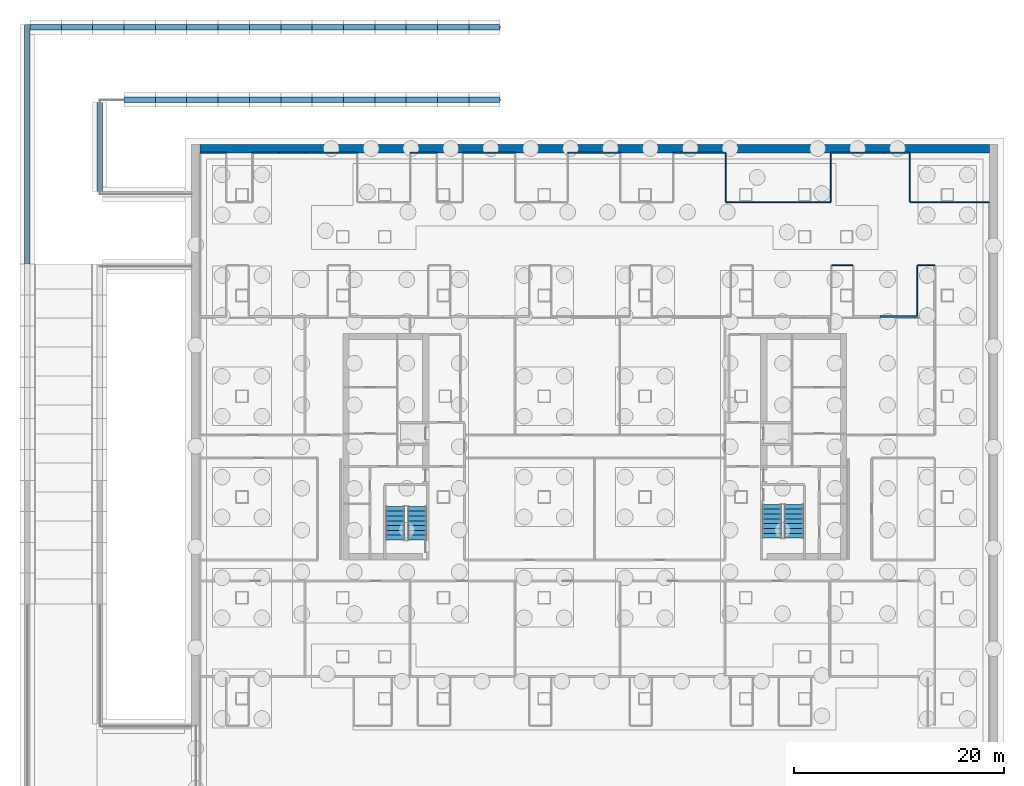
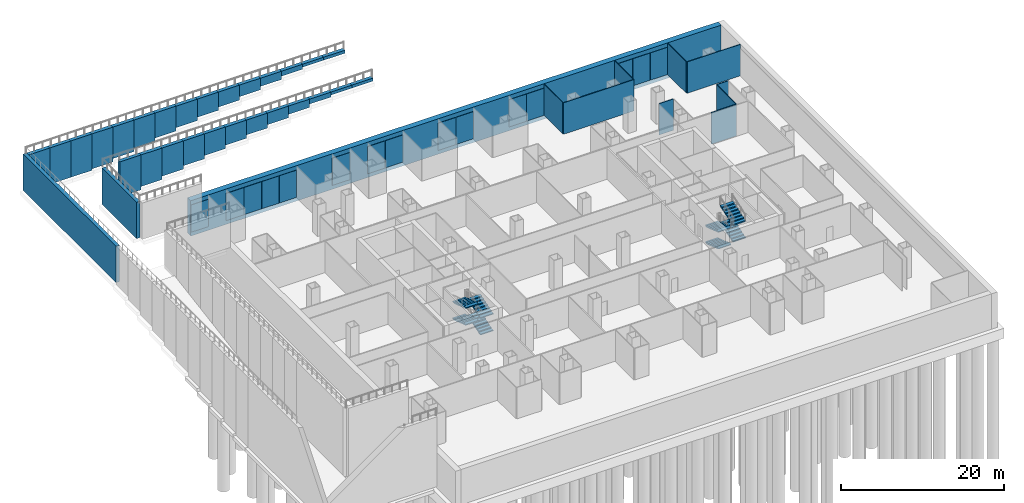
# One storey, part 12 of 17: 54 walls, 8 stair flights, 2 elements without a shape of their own.
"""IFC4 building model written with IfcOpenShell, lengths in metres."""

from ifc_helpers import new_model, si_unit, direction, frame, frame_2d, origin, place, context, subcontext, project, spatial, polyline, rectangle, outline, extrude, material, layer, layer_set, type_object, element, aggregate, save


model = new_model("IFC4")

# Units and contexts
model_context = context("Model", 3, precision=1e-05, world=origin(), true_north=direction((0.0, 1.0)))
body_context = subcontext(model_context, "Body", "Model", "MODEL_VIEW")
ifc_project = project(units=[si_unit("LENGTHUNIT", "METRE"), si_unit("AREAUNIT", "SQUARE_METRE"), si_unit("VOLUMEUNIT", "CUBIC_METRE"), si_unit("PLANEANGLEUNIT", "RADIAN"), si_unit("MASSUNIT", "GRAM", prefix="KILO")], contexts=[model_context])

# Site, building, storey
site_placement = place(None, origin())
site = spatial("IfcSite", under=ifc_project, at=site_placement, CompositionType="ELEMENT")
building_placement = place(site_placement, origin())
building = spatial("IfcBuilding", under=site, at=building_placement, Name="Cobrizo Arcos Hotel Tower", CompositionType="ELEMENT")
storey_placement = place(building_placement, frame((0.0, 0.0, -10.0)))
storey = spatial("IfcBuildingStorey", under=building, at=storey_placement, Name="B2", CompositionType="ELEMENT", Elevation=-10.0)

# Walls
ifc_material_1 = material(Name="Gypsum board partition")
ifc_layer_1 = layer(ifc_material_1, 0.14990234375)
ifc_layer_set_1 = layer_set([ifc_layer_1], Name="Corridor wall EI 60 150")
wall_type_1 = type_object("IfcWallType", Name="Corridor wall EI 60 150", PredefinedType="PARTITIONING", material=ifc_layer_set_1)
wall_1_placement = place(storey_placement, frame((27.199951171875, 12.39990234375, 0.0), z_axis=(0.0, 0.0, 1.0), x_axis=(1.0, 0.0, 0.0)))
element("IfcWall", 1, at=wall_1_placement, inside=storey, type_object=wall_type_1, Name="Partition 110", PredefinedType="PARTITIONING", context=body_context, shape_type="SweptSolid", body=[
    extrude(rectangle(XDim=3.550048828125, YDim=0.14990234375, at=frame_2d((1.77490234375, 0.0))), origin(), (0.0, 0.0, 1.0), 4.699951171875),
])
ifc_layer_2 = layer(ifc_material_1, 0.10009765625)
ifc_layer_set_2 = layer_set([ifc_layer_2], Name="Partition EI 30 100")
wall_type_2 = type_object("IfcWallType", Name="Partition EI 30 100", PredefinedType="PARTITIONING", material=ifc_layer_set_2)
wall_2_placement = place(storey_placement, frame((22.60009765625, 17.300048828125, 0.0), z_axis=(0.0, 0.0, 1.0), x_axis=(1.0, 0.0, 0.0)))
element("IfcWall", 2, at=wall_2_placement, inside=storey, type_object=wall_type_2, Name="Partition 117", PredefinedType="PARTITIONING", context=body_context, shape_type="SweptSolid", body=[
    extrude(rectangle(XDim=2.0, YDim=0.10009765625, at=frame_2d((1.0, 0.0))), origin(), (0.0, 0.0, 1.0), 4.699951171875),
])
wall_3_placement = place(storey_placement, frame((30.800048828125, 17.300048828125, 0.0), z_axis=(0.0, 0.0, 1.0), x_axis=(1.0, 0.0, 0.0)))
element("IfcWall", 3, at=wall_3_placement, inside=storey, type_object=wall_type_2, Name="Partition 118", PredefinedType="PARTITIONING", context=body_context, shape_type="SweptSolid", body=[
    extrude(rectangle(XDim=1.599853515625, YDim=0.10009765625, at=frame_2d((0.7998046875, 0.0))), origin(), (0.0, 0.0, 1.0), 4.699951171875),
])
wall_4_placement = place(storey_placement, frame((12.5, 23.300048828125, 0.0), z_axis=(0.0, 0.0, 1.0), x_axis=(1.0, 0.0, 0.0)))
element("IfcWall", 4, at=wall_4_placement, inside=storey, type_object=wall_type_2, Name="Partition 124", PredefinedType="PARTITIONING", context=body_context, shape_type="SweptSolid", body=[
    extrude(rectangle(XDim=10.0, YDim=0.10009765625, at=frame_2d((5.0, 0.0))), origin(), (0.0, 0.0, 1.0), 4.699951171875),
])
wall_5_placement = place(storey_placement, frame((30.050048828125, 23.300048828125, 0.0), z_axis=(0.0, 0.0, 1.0), x_axis=(1.0, 0.0, 0.0)))
element("IfcWall", 5, at=wall_5_placement, inside=storey, type_object=wall_type_2, Name="Partition 125", PredefinedType="PARTITIONING", context=body_context, shape_type="SweptSolid", body=[
    extrude(rectangle(XDim=7.550048828125, YDim=0.10009765625, at=frame_2d((3.77490234375, 0.0))), origin(), (0.0, 0.0, 1.0), 4.699951171875),
])
for number, where, z_axis, x_axis, name in (
    (6, (-37.60009765625, 28.0, 0.0), (0.0, 0.0, 1.0), (1.0, 0.0, 0.0), "Partition 126"),
    (7, (-32.60009765625, 28.0, 0.0), (0.0, 0.0, 1.0), (1.0, 0.0, 0.0), "Partition 127"),
):
    element("IfcWall", number, at=place(storey_placement, frame(where, z_axis=z_axis, x_axis=x_axis)), inside=storey, type_object=wall_type_2, Name=name, PredefinedType="PARTITIONING", context=body_context, shape_type="SweptSolid", body=[
        extrude(rectangle(XDim=2.5, YDim=0.10009765625, at=frame_2d((1.25, 0.0))), origin(), (0.0, 0.0, 1.0), 4.077880859375),
    ])
for number, where, z_axis, x_axis, name in (
    (8, (-30.050048828125, 28.0, 0.0), (0.0, 0.0, 1.0), (1.0, 0.0, 0.0), "Partition 128"),
    (9, (-27.550048828125, 28.0, 0.0), (0.0, 0.0, 1.0), (1.0, 0.0, 0.0), "Partition 129"),
    (10, (-25.050048828125, 28.0, 0.0), (0.0, 0.0, 1.0), (1.0, 0.0, 0.0), "Partition 130"),
):
    element("IfcWall", number, at=place(storey_placement, frame(where, z_axis=z_axis, x_axis=x_axis)), inside=storey, type_object=wall_type_2, Name=name, PredefinedType="PARTITIONING", context=body_context, shape_type="SweptSolid", body=[
        extrude(rectangle(XDim=2.449951171875, YDim=0.10009765625, at=frame_2d((1.22509765625, 0.0))), origin(), (0.0, 0.0, 1.0), 4.077880859375),
    ])
wall_6_placement = place(storey_placement, frame((-17.550048828125, 28.0, 0.0), z_axis=(0.0, 0.0, 1.0), x_axis=(1.0, 0.0, 0.0)))
element("IfcWall", 11, at=wall_6_placement, inside=storey, type_object=wall_type_2, Name="Partition 131", PredefinedType="PARTITIONING", context=body_context, shape_type="SweptSolid", body=[
    extrude(rectangle(XDim=2.5, YDim=0.10009765625, at=frame_2d((1.25, 0.0))), origin(), (0.0, 0.0, 1.0), 4.077880859375),
])
wall_7_placement = place(storey_placement, frame((-12.550048828125, 28.0, 0.0), z_axis=(0.0, 0.0, 1.0), x_axis=(1.0, 0.0, 0.0)))
element("IfcWall", 12, at=wall_7_placement, inside=storey, type_object=wall_type_2, Name="Partition 132", PredefinedType="PARTITIONING", context=body_context, shape_type="SweptSolid", body=[
    extrude(rectangle(XDim=2.449951171875, YDim=0.10009765625, at=frame_2d((1.22509765625, 0.0))), origin(), (0.0, 0.0, 1.0), 4.077880859375),
])
for number, where, z_axis, x_axis, name in (
    (13, (-10.050048828125, 28.0, 0.0), (0.0, 0.0, 1.0), (1.0, 0.0, 0.0), "Partition 133"),
    (14, (-2.550048828125, 28.0, 0.0), (0.0, 0.0, 1.0), (1.0, 0.0, 0.0), "Partition 134"),
):
    element("IfcWall", number, at=place(storey_placement, frame(where, z_axis=z_axis, x_axis=x_axis)), inside=storey, type_object=wall_type_2, Name=name, PredefinedType="PARTITIONING", context=body_context, shape_type="SweptSolid", body=[
        extrude(rectangle(XDim=2.5, YDim=0.10009765625, at=frame_2d((1.25, 0.0))), origin(), (0.0, 0.0, 1.0), 4.077880859375),
    ])
for number, where, z_axis, x_axis, name in (
    (15, (0.0, 28.0, 0.0), (0.0, 0.0, 1.0), (1.0, 0.0, 0.0), "Partition 135"),
    (16, (7.5, 28.0, 0.0), (0.0, 0.0, 1.0), (1.0, 0.0, 0.0), "Partition 136"),
):
    element("IfcWall", number, at=place(storey_placement, frame(where, z_axis=z_axis, x_axis=x_axis)), inside=storey, type_object=wall_type_2, Name=name, PredefinedType="PARTITIONING", context=body_context, shape_type="SweptSolid", body=[
        extrude(rectangle(XDim=2.449951171875, YDim=0.10009765625, at=frame_2d((1.22509765625, 0.0))), origin(), (0.0, 0.0, 1.0), 4.077880859375),
    ])
for number, where, z_axis, x_axis, name in (
    (17, (10.0, 28.0, 0.0), (0.0, 0.0, 1.0), (1.0, 0.0, 0.0), "Partition 137"),
    (18, (22.5, 28.0, 0.0), (0.0, 0.0, 1.0), (1.0, 0.0, 0.0), "Partition 138"),
):
    element("IfcWall", number, at=place(storey_placement, frame(where, z_axis=z_axis, x_axis=x_axis)), inside=storey, type_object=wall_type_2, Name=name, PredefinedType="PARTITIONING", context=body_context, shape_type="SweptSolid", body=[
        extrude(rectangle(XDim=2.5, YDim=0.10009765625, at=frame_2d((1.25, 0.0))), origin(), (0.0, 0.0, 1.0), 4.077880859375),
    ])
for number, where, z_axis, x_axis, name in (
    (19, (25.050048828125, 28.0, 0.0), (0.0, 0.0, 1.0), (1.0, 0.0, 0.0), "Partition 139"),
    (20, (27.550048828125, 28.0, 0.0), (0.0, 0.0, 1.0), (1.0, 0.0, 0.0), "Partition 140"),
):
    element("IfcWall", number, at=place(storey_placement, frame(where, z_axis=z_axis, x_axis=x_axis)), inside=storey, type_object=wall_type_2, Name=name, PredefinedType="PARTITIONING", context=body_context, shape_type="SweptSolid", body=[
        extrude(rectangle(XDim=2.449951171875, YDim=0.10009765625, at=frame_2d((1.22509765625, 0.0))), origin(), (0.0, 0.0, 1.0), 4.077880859375),
    ])
for number, where, z_axis, x_axis, name in (
    (21, (12.5, 23.35009765625, 0.0), (0.0, 0.0, 1.0), (0.0, 1.0, 0.0), "Partition 200"),
    (22, (22.5, 23.35009765625, 0.0), (0.0, 0.0, 1.0), (0.0, 1.0, 0.0), "Partition 213"),
    (23, (30.0, 23.35009765625, 0.0), (0.0, 0.0, 1.0), (0.0, 1.0, 0.0), "Partition 218"),
):
    element("IfcWall", number, at=place(storey_placement, frame(where, z_axis=z_axis, x_axis=x_axis)), inside=storey, type_object=wall_type_2, Name=name, PredefinedType="PARTITIONING", context=body_context, shape_type="SweptSolid", body=[
        extrude(rectangle(XDim=4.599853515625, YDim=0.10009765625, at=frame_2d((2.2998046875, 0.0))), origin(), (0.0, 0.0, 1.0), 4.699951171875),
    ])
wall_8_placement = place(storey_placement, frame((30.75, 12.47509765625, 0.0), z_axis=(0.0, 0.0, 1.0), x_axis=(0.0, 1.0, 0.0)))
element("IfcWall", 24, at=wall_8_placement, inside=storey, type_object=wall_type_2, Name="Partition 219", PredefinedType="PARTITIONING", context=body_context, shape_type="SweptSolid", body=[
    extrude(rectangle(XDim=4.77490234375, YDim=0.10009765625, at=frame_2d((2.387451171875, 0.0))), origin(), (0.0, 0.0, 1.0), 4.699951171875),
])
ifc_material_2 = material(Name="Concrete f'c 40 MPa", Category="concrete")
ifc_layer_3 = layer(ifc_material_2, 0.5)
ifc_layer_set_3 = layer_set([ifc_layer_3], Name="Ramp retaining wall 500 f'c 40")
wall_type_3 = type_object("IfcWallType", Name="Ramp retaining wall 500 f'c 40", PredefinedType="SOLIDWALL", material=ifc_layer_set_3)
wall_9_placement = place(storey_placement, frame((-53.800048828125, 39.949951171875, 4.699951171875), z_axis=(0.0, 0.0, 1.0), x_axis=(1.0, 0.0, 0.0)))
element("IfcWall", 25, at=wall_9_placement, inside=storey, type_object=wall_type_3, Name="Ramp A retaining wall north 1", PredefinedType="SOLIDWALL", context=body_context, shape_type="SweptSolid", body=[
    extrude(rectangle(XDim=2.98681640625, YDim=0.5, at=frame_2d((1.493408203125, 0.0))), origin(), (0.0, 0.0, 1.0), 5.449951171875),
])
for number, where, z_axis, x_axis, name in (
    (26, (-50.813232421875, 39.949951171875, 4.699951171875), (0.0, 0.0, 1.0), (1.0, 0.0, 0.0), "Ramp A retaining wall north 2"),
    (27, (-47.82666015625, 39.949951171875, 4.699951171875), (0.0, 0.0, 1.0), (1.0, 0.0, 0.0), "Ramp A retaining wall north 3"),
):
    element("IfcWall", number, at=place(storey_placement, frame(where, z_axis=z_axis, x_axis=x_axis)), inside=storey, type_object=wall_type_3, Name=name, PredefinedType="SOLIDWALL", context=body_context, shape_type="SweptSolid", body=[
        extrude(rectangle(XDim=2.986572265625, YDim=0.5, at=frame_2d((1.4931640625, 0.0))), origin(), (0.0, 0.0, 1.0), 5.449951171875),
    ])
for number, where, z_axis, x_axis, name in (
    (28, (-44.840087890625, 39.949951171875, 4.9267578125), (0.0, 0.0, 1.0), (1.0, 0.0, 0.0), "Ramp A retaining wall north 4"),
    (29, (-44.840087890625, 33.050048828125, 4.9267578125), (0.0, 0.0, 1.0), (1.0, 0.0, 0.0), "Ramp A retaining wall south 4"),
):
    element("IfcWall", number, at=place(storey_placement, frame(where, z_axis=z_axis, x_axis=x_axis)), inside=storey, type_object=wall_type_3, Name=name, PredefinedType="SOLIDWALL", context=body_context, shape_type="SweptSolid", body=[
        extrude(rectangle(XDim=2.98681640625, YDim=0.5, at=frame_2d((1.493408203125, 0.0))), origin(), (0.0, 0.0, 1.0), 5.22314453125),
    ])
for number, where, z_axis, x_axis, name in (
    (30, (-41.853271484375, 39.949951171875, 5.42431640625), (0.0, 0.0, 1.0), (1.0, 0.0, 0.0), "Ramp A retaining wall north 5"),
    (31, (-41.853271484375, 33.050048828125, 5.42431640625), (0.0, 0.0, 1.0), (1.0, 0.0, 0.0), "Ramp A retaining wall south 5"),
):
    element("IfcWall", number, at=place(storey_placement, frame(where, z_axis=z_axis, x_axis=x_axis)), inside=storey, type_object=wall_type_3, Name=name, PredefinedType="SOLIDWALL", context=body_context, shape_type="SweptSolid", body=[
        extrude(rectangle(XDim=2.986572265625, YDim=0.5, at=frame_2d((1.4931640625, 0.0))), origin(), (0.0, 0.0, 1.0), 4.7255859375),
    ])
for number, where, z_axis, x_axis, name in (
    (32, (-38.86669921875, 39.949951171875, 5.922119140625), (0.0, 0.0, 1.0), (1.0, 0.0, 0.0), "Ramp A retaining wall north 6"),
    (33, (-38.86669921875, 33.050048828125, 5.922119140625), (0.0, 0.0, 1.0), (1.0, 0.0, 0.0), "Ramp A retaining wall south 6"),
):
    element("IfcWall", number, at=place(storey_placement, frame(where, z_axis=z_axis, x_axis=x_axis)), inside=storey, type_object=wall_type_3, Name=name, PredefinedType="SOLIDWALL", context=body_context, shape_type="SweptSolid", body=[
        extrude(rectangle(XDim=2.98681640625, YDim=0.5, at=frame_2d((1.493408203125, 0.0))), origin(), (0.0, 0.0, 1.0), 4.227783203125),
    ])
for number, where, z_axis, x_axis, name in (
    (34, (-35.8798828125, 39.949951171875, 6.419921875), (0.0, 0.0, 1.0), (1.0, 0.0, 0.0), "Ramp A retaining wall north 7"),
    (35, (-35.8798828125, 33.050048828125, 6.419921875), (0.0, 0.0, 1.0), (1.0, 0.0, 0.0), "Ramp A retaining wall south 7"),
):
    element("IfcWall", number, at=place(storey_placement, frame(where, z_axis=z_axis, x_axis=x_axis)), inside=storey, type_object=wall_type_3, Name=name, PredefinedType="SOLIDWALL", context=body_context, shape_type="SweptSolid", body=[
        extrude(rectangle(XDim=2.986572265625, YDim=0.5, at=frame_2d((1.4931640625, 0.0))), origin(), (0.0, 0.0, 1.0), 3.72998046875),
    ])
for number, where, z_axis, x_axis, name in (
    (36, (-32.893310546875, 39.949951171875, 6.917724609375), (0.0, 0.0, 1.0), (1.0, 0.0, 0.0), "Ramp A retaining wall north 8"),
    (37, (-32.893310546875, 33.050048828125, 6.917724609375), (0.0, 0.0, 1.0), (1.0, 0.0, 0.0), "Ramp A retaining wall south 8"),
):
    element("IfcWall", number, at=place(storey_placement, frame(where, z_axis=z_axis, x_axis=x_axis)), inside=storey, type_object=wall_type_3, Name=name, PredefinedType="SOLIDWALL", context=body_context, shape_type="SweptSolid", body=[
        extrude(rectangle(XDim=2.986572265625, YDim=0.5, at=frame_2d((1.4931640625, 0.0))), origin(), (0.0, 0.0, 1.0), 3.232177734375),
    ])
for number, where, z_axis, x_axis, name in (
    (38, (-29.90673828125, 39.949951171875, 7.41552734375), (0.0, 0.0, 1.0), (1.0, 0.0, 0.0), "Ramp A retaining wall north 9"),
    (39, (-29.90673828125, 33.050048828125, 7.41552734375), (0.0, 0.0, 1.0), (1.0, 0.0, 0.0), "Ramp A retaining wall south 9"),
):
    element("IfcWall", number, at=place(storey_placement, frame(where, z_axis=z_axis, x_axis=x_axis)), inside=storey, type_object=wall_type_3, Name=name, PredefinedType="SOLIDWALL", context=body_context, shape_type="SweptSolid", body=[
        extrude(rectangle(XDim=2.98681640625, YDim=0.5, at=frame_2d((1.493408203125, 0.0))), origin(), (0.0, 0.0, 1.0), 2.734375),
    ])
for number, where, z_axis, x_axis, name in (
    (40, (-26.919921875, 39.949951171875, 7.913330078125), (0.0, 0.0, 1.0), (1.0, 0.0, 0.0), "Ramp A retaining wall north 10"),
    (41, (-26.919921875, 33.050048828125, 7.913330078125), (0.0, 0.0, 1.0), (1.0, 0.0, 0.0), "Ramp A retaining wall south 10"),
):
    element("IfcWall", number, at=place(storey_placement, frame(where, z_axis=z_axis, x_axis=x_axis)), inside=storey, type_object=wall_type_3, Name=name, PredefinedType="SOLIDWALL", context=body_context, shape_type="SweptSolid", body=[
        extrude(rectangle(XDim=2.986572265625, YDim=0.5, at=frame_2d((1.4931640625, 0.0))), origin(), (0.0, 0.0, 1.0), 2.236572265625),
    ])
for number, where, z_axis, x_axis, name in (
    (42, (-23.933349609375, 39.949951171875, 8.4111328125), (0.0, 0.0, 1.0), (1.0, 0.0, 0.0), "Ramp A retaining wall north 11"),
    (43, (-23.933349609375, 33.050048828125, 8.4111328125), (0.0, 0.0, 1.0), (1.0, 0.0, 0.0), "Ramp A retaining wall south 11"),
):
    element("IfcWall", number, at=place(storey_placement, frame(where, z_axis=z_axis, x_axis=x_axis)), inside=storey, type_object=wall_type_3, Name=name, PredefinedType="SOLIDWALL", context=body_context, shape_type="SweptSolid", body=[
        extrude(rectangle(XDim=2.986572265625, YDim=0.5, at=frame_2d((1.4931640625, 0.0))), origin(), (0.0, 0.0, 1.0), 1.73876953125),
    ])
for number, where, z_axis, x_axis, name in (
    (44, (-20.94677734375, 39.949951171875, 8.908935546875), (0.0, 0.0, 1.0), (1.0, 0.0, 0.0), "Ramp A retaining wall north 12"),
    (45, (-20.94677734375, 33.050048828125, 8.908935546875), (0.0, 0.0, 1.0), (1.0, 0.0, 0.0), "Ramp A retaining wall south 12"),
):
    element("IfcWall", number, at=place(storey_placement, frame(where, z_axis=z_axis, x_axis=x_axis)), inside=storey, type_object=wall_type_3, Name=name, PredefinedType="SOLIDWALL", context=body_context, shape_type="SweptSolid", body=[
        extrude(rectangle(XDim=2.98681640625, YDim=0.5, at=frame_2d((1.493408203125, 0.0))), origin(), (0.0, 0.0, 1.0), 1.240966796875),
    ])
for number, where, z_axis, x_axis, name in (
    (46, (-17.9599609375, 39.949951171875, 9.40673828125), (0.0, 0.0, 1.0), (1.0, 0.0, 0.0), "Ramp A retaining wall north 13"),
    (47, (-17.9599609375, 33.050048828125, 9.40673828125), (0.0, 0.0, 1.0), (1.0, 0.0, 0.0), "Ramp A retaining wall south 13"),
):
    element("IfcWall", number, at=place(storey_placement, frame(where, z_axis=z_axis, x_axis=x_axis)), inside=storey, type_object=wall_type_3, Name=name, PredefinedType="SOLIDWALL", context=body_context, shape_type="SweptSolid", body=[
        extrude(rectangle(XDim=2.986572265625, YDim=0.5, at=frame_2d((1.4931640625, 0.0))), origin(), (0.0, 0.0, 1.0), 0.7431640625),
    ])
for number, where, z_axis, x_axis, name in (
    (48, (-14.973388671875, 39.949951171875, 9.699951171875), (0.0, 0.0, 1.0), (1.0, 0.0, 0.0), "Ramp A retaining wall north 14"),
    (49, (-14.973388671875, 33.050048828125, 9.699951171875), (0.0, 0.0, 1.0), (1.0, 0.0, 0.0), "Ramp A retaining wall south 14"),
):
    element("IfcWall", number, at=place(storey_placement, frame(where, z_axis=z_axis, x_axis=x_axis)), inside=storey, type_object=wall_type_3, Name=name, PredefinedType="SOLIDWALL", context=body_context, shape_type="SweptSolid", body=[
        extrude(rectangle(XDim=2.986572265625, YDim=0.5, at=frame_2d((1.4931640625, 0.0))), origin(), (0.0, 0.0, 1.0), 0.449951171875),
    ])
for number, where, z_axis, x_axis, name in (
    (50, (-11.98681640625, 39.949951171875, 9.699951171875), (0.0, 0.0, 1.0), (1.0, 0.0, 0.0), "Ramp A retaining wall north 15"),
    (51, (-11.98681640625, 33.050048828125, 9.699951171875), (0.0, 0.0, 1.0), (1.0, 0.0, 0.0), "Ramp A retaining wall south 15"),
):
    element("IfcWall", number, at=place(storey_placement, frame(where, z_axis=z_axis, x_axis=x_axis)), inside=storey, type_object=wall_type_3, Name=name, PredefinedType="SOLIDWALL", context=body_context, shape_type="SweptSolid", body=[
        extrude(rectangle(XDim=2.98681640625, YDim=0.5, at=frame_2d((1.493408203125, 0.0))), origin(), (0.0, 0.0, 1.0), 0.449951171875),
    ])
wall_10_placement = place(storey_placement, frame((-54.050048828125, 17.39990234375, 4.699951171875), z_axis=(0.0, 0.0, 1.0), x_axis=(0.0, 1.0, 0.0)))
element("IfcWall", 52, at=wall_10_placement, inside=storey, type_object=wall_type_3, Name="Ramp retaining wall B west b1", PredefinedType="SOLIDWALL", context=body_context, shape_type="SweptSolid", body=[
    extrude(rectangle(XDim=22.800048828125, YDim=0.5, at=frame_2d((11.39990234375, 0.0))), origin(), (0.0, 0.0, 1.0), 5.449951171875),
])
wall_11_placement = place(storey_placement, frame((-47.14990234375, 24.300048828125, 4.699951171875), z_axis=(0.0, 0.0, 1.0), x_axis=(0.0, 1.0, 0.0)))
element("IfcWall", 53, at=wall_11_placement, inside=storey, type_object=wall_type_3, Name="Ramp retaining wall B1 east", PredefinedType="SOLIDWALL", context=body_context, shape_type="SweptSolid", body=[
    extrude(rectangle(XDim=8.5, YDim=0.5, at=frame_2d((4.25, 0.0))), origin(), (0.0, 0.0, 1.0), 5.449951171875),
])
ifc_layer_4 = layer(ifc_material_2, 0.800048828125)
ifc_layer_set_4 = layer_set([ifc_layer_4], Name="Retaining wall 800 f'c 40")
wall_type_4 = type_object("IfcWallType", Name="Retaining wall 800 f'c 40", PredefinedType="SOLIDWALL", material=ifc_layer_set_4)
wall_12_placement = place(storey_placement, frame((-37.60009765625, 28.39990234375, -0.60009765625), z_axis=(0.0, 0.0, 1.0), x_axis=(1.0, 0.0, 0.0)))
element("IfcWall", 54, at=wall_12_placement, inside=storey, type_object=wall_type_4, Name="Retaining wall RW-B2-N, north side, B2", PredefinedType="SOLIDWALL", context=body_context, shape_type="SweptSolid", body=[
    extrude(rectangle(XDim=75.2001953125, YDim=0.800048828125, at=frame_2d((37.60009765625, 0.0))), origin(), (0.0, 0.0, 1.0), 5.300048828125),
])

# Stair, stair flights
stair_type = type_object("IfcStairType", Name="Exit stair", PredefinedType="HALF_TURN_STAIR", material=ifc_material_2)
stair_1_placement = place(storey_placement, origin())
stair_1 = element("IfcStair", 55, at=stair_1_placement, inside=storey, type_object=stair_type, Name="B2 Exit stair ST-W", PredefinedType="HALF_TURN_STAIR")
stair_flight_type = type_object("IfcStairFlightType", Name="Exit stair flight", PredefinedType="STRAIGHT", material=ifc_material_2)
stair_flight_1_placement = place(storey_placement, frame((-16.89990234375, -8.89990234375, 0.0), z_axis=(0.0, 0.0, 1.0), x_axis=(0.0, 1.0, 0.0)))
stair_flight_1 = element("IfcStairFlight", 56, at=stair_flight_1_placement, type_object=stair_flight_type, Name="ST-W flight 1", NumberOfRisers=8, NumberOfTreads=7, PredefinedType="STRAIGHT", RiserHeight=0.15625, TreadLength=0.46, context=body_context, shape_type="SweptSolid", body=[
    extrude(outline(polyline([(0.0, 0.0), (0.0, 0.15625), (0.4599609375, 0.15625), (0.4599609375, 0.3125), (0.919921875, 0.3125), (0.919921875, 0.46875), (1.3798828125, 0.46875), (1.3798828125, 0.625), (1.840087890625, 0.625), (1.840087890625, 0.78125), (2.300048828125, 0.78125), (2.300048828125, 0.9375), (2.760009765625, 0.9375), (2.760009765625, 1.09375), (3.219970703125, 1.09375), (3.219970703125, 1.25), (3.219970703125, 0.935546875), (0.466064453125, 0.0), (0.0, 0.0)])), frame((0.0, 0.89990234375, 0.0), z_axis=(0.0, -1.0, 0.0), x_axis=(1.0, 0.0, 0.0)), (0.0, 0.0, 1.0), 1.800048828125),
])
stair_flight_2_placement = place(storey_placement, frame((-19.0, -5.679931640625, 1.25), z_axis=(0.0, 0.0, 1.0), x_axis=(0.0, -1.0, 0.0)))
stair_flight_2 = element("IfcStairFlight", 57, at=stair_flight_2_placement, type_object=stair_flight_type, Name="ST-W flight 2", NumberOfRisers=8, NumberOfTreads=7, PredefinedType="STRAIGHT", RiserHeight=0.15625, TreadLength=0.46, context=body_context, shape_type="SweptSolid", body=[
    extrude(outline(polyline([(0.0, 0.0), (0.0, 0.15625), (0.4599609375, 0.15625), (0.4599609375, 0.3125), (0.919921875, 0.3125), (0.919921875, 0.46875), (1.3798828125, 0.46875), (1.3798828125, 0.625), (1.840087890625, 0.625), (1.840087890625, 0.78125), (2.300048828125, 0.78125), (2.300048828125, 0.9375), (2.760009765625, 0.9375), (2.760009765625, 1.09375), (3.219970703125, 1.09375), (3.219970703125, 1.25), (3.219970703125, 0.935546875), (0.466064453125, 0.0), (0.0, 0.0)])), frame((0.0, 0.89990234375, 0.0), z_axis=(0.0, -1.0, 0.0), x_axis=(1.0, 0.0, 0.0)), (0.0, 0.0, 1.0), 1.800048828125),
])
stair_flight_3_placement = place(storey_placement, frame((-16.89990234375, -8.89990234375, 2.5), z_axis=(0.0, 0.0, 1.0), x_axis=(0.0, 1.0, 0.0)))
stair_flight_3 = element("IfcStairFlight", 58, at=stair_flight_3_placement, type_object=stair_flight_type, Name="ST-W flight 3", NumberOfRisers=8, NumberOfTreads=7, PredefinedType="STRAIGHT", RiserHeight=0.15625, TreadLength=0.46, context=body_context, shape_type="SweptSolid", body=[
    extrude(outline(polyline([(0.0, 0.0), (0.0, 0.15625), (0.4599609375, 0.15625), (0.4599609375, 0.3125), (0.919921875, 0.3125), (0.919921875, 0.46875), (1.3798828125, 0.46875), (1.3798828125, 0.625), (1.840087890625, 0.625), (1.840087890625, 0.78125), (2.300048828125, 0.78125), (2.300048828125, 0.9375), (2.760009765625, 0.9375), (2.760009765625, 1.09375), (3.219970703125, 1.09375), (3.219970703125, 1.25), (3.219970703125, 0.935546875), (0.466064453125, 0.0), (0.0, 0.0)])), frame((0.0, 0.89990234375, 0.0), z_axis=(0.0, -1.0, 0.0), x_axis=(1.0, 0.0, 0.0)), (0.0, 0.0, 1.0), 1.800048828125),
])
stair_flight_4_placement = place(storey_placement, frame((-19.0, -5.679931640625, 3.75), z_axis=(0.0, 0.0, 1.0), x_axis=(0.0, -1.0, 0.0)))
stair_flight_4 = element("IfcStairFlight", 59, at=stair_flight_4_placement, type_object=stair_flight_type, Name="ST-W flight 4", NumberOfRisers=8, NumberOfTreads=7, PredefinedType="STRAIGHT", RiserHeight=0.15625, TreadLength=0.46, context=body_context, shape_type="SweptSolid", body=[
    extrude(outline(polyline([(0.0, 0.0), (0.0, 0.15625), (0.4599609375, 0.15625), (0.4599609375, 0.3125), (0.919921875, 0.3125), (0.919921875, 0.46875), (1.3798828125, 0.46875), (1.3798828125, 0.625), (1.840087890625, 0.625), (1.840087890625, 0.78125), (2.300048828125, 0.78125), (2.300048828125, 0.9375), (2.760009765625, 0.9375), (2.760009765625, 1.09375), (3.219970703125, 1.09375), (3.219970703125, 1.25), (3.219970703125, 0.935546875), (0.466064453125, 0.0), (0.0, 0.0)])), frame((0.0, 0.89990234375, 0.0), z_axis=(0.0, -1.0, 0.0), x_axis=(1.0, 0.0, 0.0)), (0.0, 0.0, 1.0), 1.800048828125),
])
aggregate(stair_1, [stair_flight_1, stair_flight_2, stair_flight_3, stair_flight_4])

stair_2_placement = place(storey_placement, origin())
stair_2 = element("IfcStair", 60, at=stair_2_placement, inside=storey, type_object=stair_type, Name="B2 Exit stair ST-E", PredefinedType="HALF_TURN_STAIR")
stair_flight_5_placement = place(storey_placement, frame((16.89990234375, -5.5, 0.0), z_axis=(0.0, 0.0, 1.0), x_axis=(0.0, -1.0, 0.0)))
stair_flight_5 = element("IfcStairFlight", 61, at=stair_flight_5_placement, type_object=stair_flight_type, Name="ST-E flight 1", NumberOfRisers=8, NumberOfTreads=7, PredefinedType="STRAIGHT", RiserHeight=0.15625, TreadLength=0.46, context=body_context, shape_type="SweptSolid", body=[
    extrude(outline(polyline([(0.0, 0.0), (0.0, 0.15625), (0.4599609375, 0.15625), (0.4599609375, 0.3125), (0.919921875, 0.3125), (0.919921875, 0.46875), (1.3798828125, 0.46875), (1.3798828125, 0.625), (1.840087890625, 0.625), (1.840087890625, 0.78125), (2.300048828125, 0.78125), (2.300048828125, 0.9375), (2.760009765625, 0.9375), (2.760009765625, 1.09375), (3.219970703125, 1.09375), (3.219970703125, 1.25), (3.219970703125, 0.935546875), (0.466064453125, 0.0), (0.0, 0.0)])), frame((0.0, 0.89990234375, 0.0), z_axis=(0.0, -1.0, 0.0), x_axis=(1.0, 0.0, 0.0)), (0.0, 0.0, 1.0), 1.800048828125),
])
stair_flight_6_placement = place(storey_placement, frame((19.0, -8.719970703125, 1.25), z_axis=(0.0, 0.0, 1.0), x_axis=(0.0, 1.0, 0.0)))
stair_flight_6 = element("IfcStairFlight", 62, at=stair_flight_6_placement, type_object=stair_flight_type, Name="ST-E flight 2", NumberOfRisers=8, NumberOfTreads=7, PredefinedType="STRAIGHT", RiserHeight=0.15625, TreadLength=0.46, context=body_context, shape_type="SweptSolid", body=[
    extrude(outline(polyline([(0.0, 0.0), (0.0, 0.15625), (0.4599609375, 0.15625), (0.4599609375, 0.3125), (0.919921875, 0.3125), (0.919921875, 0.46875), (1.3798828125, 0.46875), (1.3798828125, 0.625), (1.840087890625, 0.625), (1.840087890625, 0.78125), (2.300048828125, 0.78125), (2.300048828125, 0.9375), (2.760009765625, 0.9375), (2.760009765625, 1.09375), (3.219970703125, 1.09375), (3.219970703125, 1.25), (3.219970703125, 0.935546875), (0.466064453125, 0.0), (0.0, 0.0)])), frame((0.0, 0.89990234375, 0.0), z_axis=(0.0, -1.0, 0.0), x_axis=(1.0, 0.0, 0.0)), (0.0, 0.0, 1.0), 1.800048828125),
])
stair_flight_7_placement = place(storey_placement, frame((16.89990234375, -5.5, 2.5), z_axis=(0.0, 0.0, 1.0), x_axis=(0.0, -1.0, 0.0)))
stair_flight_7 = element("IfcStairFlight", 63, at=stair_flight_7_placement, type_object=stair_flight_type, Name="ST-E flight 3", NumberOfRisers=8, NumberOfTreads=7, PredefinedType="STRAIGHT", RiserHeight=0.15625, TreadLength=0.46, context=body_context, shape_type="SweptSolid", body=[
    extrude(outline(polyline([(0.0, 0.0), (0.0, 0.15625), (0.4599609375, 0.15625), (0.4599609375, 0.3125), (0.919921875, 0.3125), (0.919921875, 0.46875), (1.3798828125, 0.46875), (1.3798828125, 0.625), (1.840087890625, 0.625), (1.840087890625, 0.78125), (2.300048828125, 0.78125), (2.300048828125, 0.9375), (2.760009765625, 0.9375), (2.760009765625, 1.09375), (3.219970703125, 1.09375), (3.219970703125, 1.25), (3.219970703125, 0.935546875), (0.466064453125, 0.0), (0.0, 0.0)])), frame((0.0, 0.89990234375, 0.0), z_axis=(0.0, -1.0, 0.0), x_axis=(1.0, 0.0, 0.0)), (0.0, 0.0, 1.0), 1.800048828125),
])
stair_flight_8_placement = place(storey_placement, frame((19.0, -8.719970703125, 3.75), z_axis=(0.0, 0.0, 1.0), x_axis=(0.0, 1.0, 0.0)))
stair_flight_8 = element("IfcStairFlight", 64, at=stair_flight_8_placement, type_object=stair_flight_type, Name="ST-E flight 4", NumberOfRisers=8, NumberOfTreads=7, PredefinedType="STRAIGHT", RiserHeight=0.15625, TreadLength=0.46, context=body_context, shape_type="SweptSolid", body=[
    extrude(outline(polyline([(0.0, 0.0), (0.0, 0.15625), (0.4599609375, 0.15625), (0.4599609375, 0.3125), (0.919921875, 0.3125), (0.919921875, 0.46875), (1.3798828125, 0.46875), (1.3798828125, 0.625), (1.840087890625, 0.625), (1.840087890625, 0.78125), (2.300048828125, 0.78125), (2.300048828125, 0.9375), (2.760009765625, 0.9375), (2.760009765625, 1.09375), (3.219970703125, 1.09375), (3.219970703125, 1.25), (3.219970703125, 0.935546875), (0.466064453125, 0.0), (0.0, 0.0)])), frame((0.0, 0.89990234375, 0.0), z_axis=(0.0, -1.0, 0.0), x_axis=(1.0, 0.0, 0.0)), (0.0, 0.0, 1.0), 1.800048828125),
])
aggregate(stair_2, [stair_flight_5, stair_flight_6, stair_flight_7, stair_flight_8])

save(model, "model.ifc")
